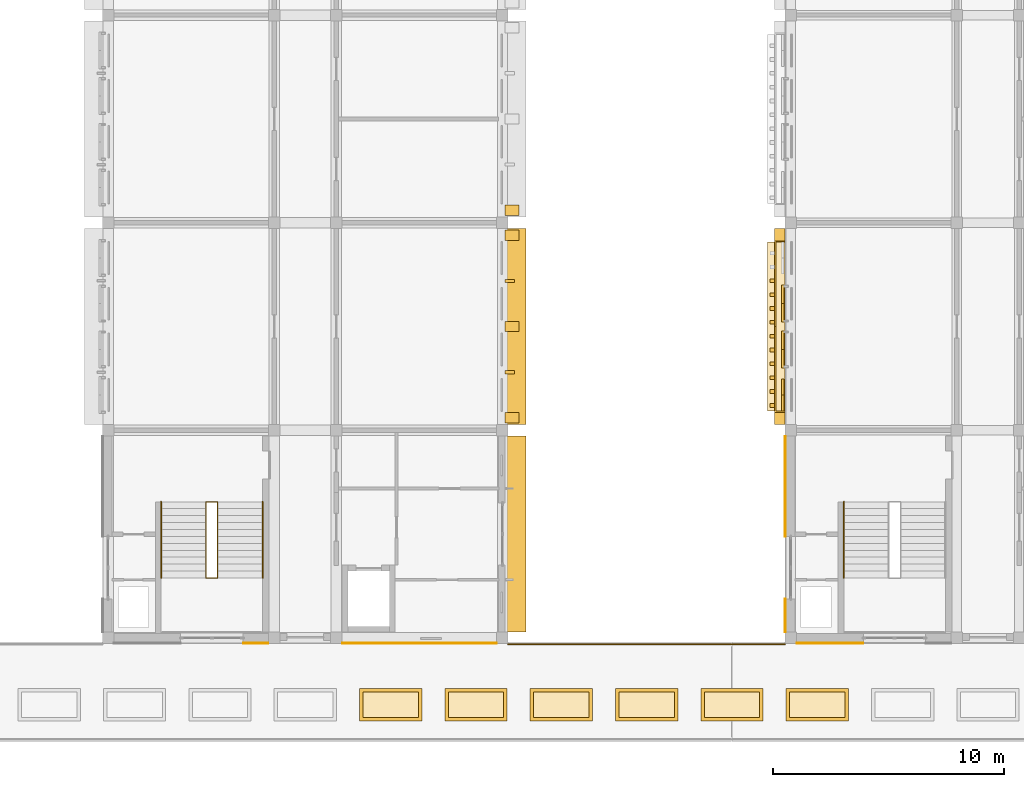
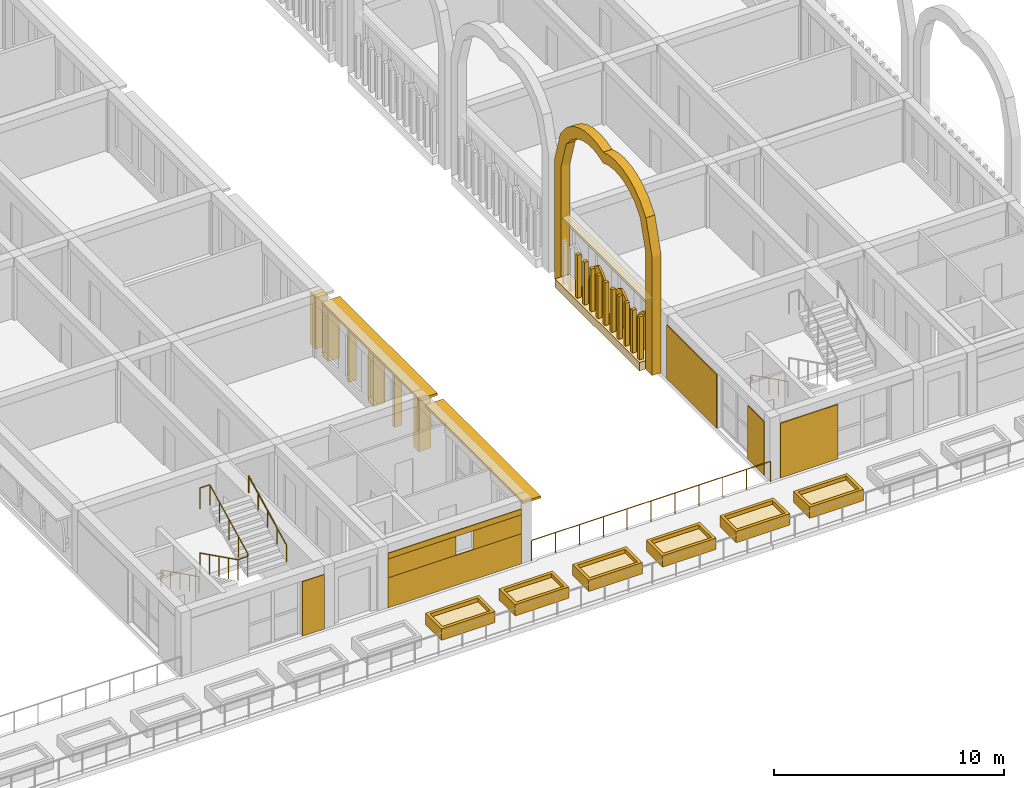
# One storey, part 74 of 82: 39 coverings, 5 railings, 5 shading devices.
"""IFC4 building model written with IfcOpenShell, lengths in metres."""

from ifc_helpers import new_model, si_unit, direction, frame, origin, origin_2d, place, context, subcontext, project, spatial, polyline, rectangle, circle, outline, extrude, material, layer, layer_set, type_object, element, save


model = new_model("IFC4")

# Units and contexts
model_context = context("Model", 3, precision=1e-05, world=origin(), true_north=direction((0.0, 1.0)))
body_context = subcontext(model_context, "Body", "Model", "MODEL_VIEW")
ifc_project = project(units=[si_unit("LENGTHUNIT", "METRE"), si_unit("AREAUNIT", "SQUARE_METRE"), si_unit("VOLUMEUNIT", "CUBIC_METRE"), si_unit("PLANEANGLEUNIT", "RADIAN"), si_unit("MASSUNIT", "GRAM", prefix="KILO")], contexts=[model_context])

# Site, building, storey
site_placement = place(None, origin())
site = spatial("IfcSite", under=ifc_project, at=site_placement, CompositionType="ELEMENT")
building_placement = place(site_placement, origin())
building = spatial("IfcBuilding", under=site, at=building_placement, Name="Elbe Cascade School", CompositionType="ELEMENT")
storey_placement = place(building_placement, frame((0.0, 0.0, 4.5)))
storey = spatial("IfcBuildingStorey", under=building, at=storey_placement, Name="L01", CompositionType="ELEMENT", Elevation=4.5)

# Railings
ifc_material_1 = material(Name="Steel S355J2H, painted", Category="steel")
railing_type_1 = type_object("IfcRailingType", Name="Bar stair guard 1100", PredefinedType="GUARDRAIL", material=ifc_material_1)
railing_1_placement = place(storey_placement, frame((102.85009765625, 11.89990234375, 0.14990234375)))
element("IfcRailing", 1, at=railing_1_placement, inside=storey, type_object=railing_type_1, Name="Stair guard B1.S", PredefinedType="GUARDRAIL", context=body_context, shape_type="SweptSolid", body=[
    extrude(circle(Radius=0.02392578125, at=origin_2d()), frame((0.0, 0.0, 1.09619140625), z_axis=(0.0, -0.894400720042, 0.447266533499), x_axis=(1.0, 0.0, 0.0)), (0.0, 0.0, 1.0), 3.689453125),
    extrude(circle(Radius=0.02392578125, at=origin_2d()), frame((0.0, -3.2998046875, 2.74609375), z_axis=(1.0, 0.0, 0.0), x_axis=(0.0, 1.0, 0.0)), (0.0, 0.0, 1.0), 0.5),
    extrude(circle(Radius=0.02392578125, at=origin_2d()), frame((0.5, -3.2998046875, 2.74609375), z_axis=(0.0, 0.0, 1.0), x_axis=(1.0, 0.0, 0.0)), (0.0, 0.0, 1.0), 0.14990234375),
    extrude(circle(Radius=0.02392578125, at=origin_2d()), frame((0.5, -3.2998046875, 2.89599609375), z_axis=(0.0, 0.894400720042, 0.447266533499), x_axis=(-1.0, 0.0, 0.0)), (0.0, 0.0, 1.0), 3.689453125),
    extrude(circle(Radius=0.02392578125, at=origin_2d()), frame((0.5, 0.0, 4.54638671875), z_axis=(-1.0, 0.0, 0.0), x_axis=(0.0, -1.0, 0.0)), (0.0, 0.0, 1.0), 0.5),
    extrude(circle(Radius=0.02099609375, at=origin_2d()), origin(), (0.0, 0.0, 1.0), 1.072021484375),
    extrude(circle(Radius=0.02099609375, at=origin_2d()), frame((0.0, -0.824951171875, 0.41259765625)), (0.0, 0.0, 1.0), 1.072021484375),
    extrude(circle(Radius=0.02099609375, at=origin_2d()), frame((0.0, -1.64990234375, 0.8251953125)), (0.0, 0.0, 1.0), 1.072021484375),
    extrude(circle(Radius=0.02099609375, at=origin_2d()), frame((0.0, -2.474853515625, 1.237548828125)), (0.0, 0.0, 1.0), 1.072021484375),
    extrude(circle(Radius=0.02099609375, at=origin_2d()), frame((0.0, -3.2998046875, 1.650146484375)), (0.0, 0.0, 1.0), 1.072021484375),
    extrude(circle(Radius=0.02099609375, at=origin_2d()), frame((0.5, -3.2998046875, 1.650146484375)), (0.0, 0.0, 1.0), 1.072021484375),
    extrude(circle(Radius=0.02099609375, at=origin_2d()), frame((0.5, -3.2998046875, 1.800048828125)), (0.0, 0.0, 1.0), 1.072021484375),
    extrude(circle(Radius=0.02099609375, at=origin_2d()), frame((0.5, -2.474853515625, 2.212646484375)), (0.0, 0.0, 1.0), 1.072021484375),
    extrude(circle(Radius=0.02099609375, at=origin_2d()), frame((0.5, -1.64990234375, 2.625)), (0.0, 0.0, 1.0), 1.072021484375),
    extrude(circle(Radius=0.02099609375, at=origin_2d()), frame((0.5, -0.824951171875, 3.03759765625)), (0.0, 0.0, 1.0), 1.072021484375),
    extrude(circle(Radius=0.02099609375, at=origin_2d()), frame((0.5, 0.0, 3.4501953125)), (0.0, 0.0, 1.0), 1.072021484375),
    extrude(circle(Radius=0.02099609375, at=origin_2d()), frame((0.0, 0.0, 3.4501953125)), (0.0, 0.0, 1.0), 1.072021484375),
])
ifc_material_2 = material(Name="Steel S355J2H, painted", Category="steel")
railing_type_2 = type_object("IfcRailingType", Name="Bar stair handrail 900", PredefinedType="HANDRAIL", material=ifc_material_2)
railing_2_placement = place(storey_placement, frame((100.89990234375, 11.89990234375, 0.14990234375)))
element("IfcRailing", 2, at=railing_2_placement, inside=storey, type_object=railing_type_2, Name="Stair handrail B1.S", PredefinedType="HANDRAIL", context=body_context, shape_type="SweptSolid", body=[
    extrude(circle(Radius=0.02392578125, at=origin_2d()), frame((0.0, 0.0, 0.8759765625), z_axis=(0.0, -0.894400720042, 0.447266533499), x_axis=(1.0, 0.0, 0.0)), (0.0, 0.0, 1.0), 3.689453125),
    extrude(circle(Radius=0.02099609375, at=origin_2d()), origin(), (0.0, 0.0, 1.0), 0.851806640625),
    extrude(circle(Radius=0.02099609375, at=origin_2d()), frame((0.0, -0.824951171875, 0.41259765625)), (0.0, 0.0, 1.0), 0.851806640625),
    extrude(circle(Radius=0.02099609375, at=origin_2d()), frame((0.0, -1.64990234375, 0.8251953125)), (0.0, 0.0, 1.0), 0.851806640625),
    extrude(circle(Radius=0.02099609375, at=origin_2d()), frame((0.0, -2.474853515625, 1.237548828125)), (0.0, 0.0, 1.0), 0.851806640625),
    extrude(circle(Radius=0.02099609375, at=origin_2d()), frame((0.0, -3.2998046875, 1.650146484375)), (0.0, 0.0, 1.0), 0.851806640625),
])
railing_3_placement = place(storey_placement, frame((105.300048828125, 8.60009765625, 1.949951171875)))
element("IfcRailing", 3, at=railing_3_placement, inside=storey, type_object=railing_type_2, Name="Stair handrail B1.S", PredefinedType="HANDRAIL", context=body_context, shape_type="SweptSolid", body=[
    extrude(circle(Radius=0.02392578125, at=origin_2d()), frame((0.0, 0.0, 0.8759765625), z_axis=(0.0, 0.894400720042, 0.447266533499), x_axis=(-1.0, 0.0, 0.0)), (0.0, 0.0, 1.0), 3.689453125),
    extrude(circle(Radius=0.02099609375, at=origin_2d()), origin(), (0.0, 0.0, 1.0), 0.851806640625),
    extrude(circle(Radius=0.02099609375, at=origin_2d()), frame((0.0, 0.824951171875, 0.41259765625)), (0.0, 0.0, 1.0), 0.851806640625),
    extrude(circle(Radius=0.02099609375, at=origin_2d()), frame((0.0, 1.64990234375, 0.8251953125)), (0.0, 0.0, 1.0), 0.851806640625),
    extrude(circle(Radius=0.02099609375, at=origin_2d()), frame((0.0, 2.474853515625, 1.237548828125)), (0.0, 0.0, 1.0), 0.851806640625),
    extrude(circle(Radius=0.02099609375, at=origin_2d()), frame((0.0, 3.2998046875, 1.650146484375)), (0.0, 0.0, 1.0), 0.851806640625),
])
railing_4_placement = place(storey_placement, frame((130.5, 11.89990234375, 0.14990234375)))
element("IfcRailing", 4, at=railing_4_placement, inside=storey, type_object=railing_type_2, Name="Stair handrail C1.S", PredefinedType="HANDRAIL", context=body_context, shape_type="SweptSolid", body=[
    extrude(circle(Radius=0.02392578125, at=origin_2d()), frame((0.0, 0.0, 0.8759765625), z_axis=(0.0, -0.894400720042, 0.447266533499), x_axis=(1.0, 0.0, 0.0)), (0.0, 0.0, 1.0), 3.689453125),
    extrude(circle(Radius=0.02099609375, at=origin_2d()), origin(), (0.0, 0.0, 1.0), 0.851806640625),
    extrude(circle(Radius=0.02099609375, at=origin_2d()), frame((0.0, -0.824951171875, 0.41259765625)), (0.0, 0.0, 1.0), 0.851806640625),
    extrude(circle(Radius=0.02099609375, at=origin_2d()), frame((0.0, -1.64990234375, 0.8251953125)), (0.0, 0.0, 1.0), 0.851806640625),
    extrude(circle(Radius=0.02099609375, at=origin_2d()), frame((0.0, -2.474853515625, 1.237548828125)), (0.0, 0.0, 1.0), 0.851806640625),
    extrude(circle(Radius=0.02099609375, at=origin_2d()), frame((0.0, -3.2998046875, 1.650146484375)), (0.0, 0.0, 1.0), 0.851806640625),
])

# Shading devices
ifc_material_3 = material(Name="Precast concrete C30/37", Category="concrete")
ifc_layer_1 = layer(ifc_material_3, 0.1201171875)
ifc_layer_set_1 = layer_set([ifc_layer_1], Name="Precast concrete C30/37")
shading_device_type_1 = type_object("IfcShadingDeviceType", Name="Bars envelope Chhajja eave, precast concrete, 900 x 120", PredefinedType="USERDEFINED", material=ifc_layer_set_1)
for number, where, z_axis, x_axis, name in (
    (5, (116.27001953125, 10.5, 2.72998046875), (0.0, 0.0, 1.0), (0.0, 1.0, 0.0), "Chhajja eave SD2 B.L01.e1"),
    (6, (116.27001953125, 19.5, 2.72998046875), (0.0, 0.0, 1.0), (0.0, 1.0, 0.0), "Chhajja eave SD2 B.L01.e2"),
):
    element("IfcShadingDevice", number, at=place(storey_placement, frame(where, z_axis=z_axis, x_axis=x_axis)), inside=storey, type_object=shading_device_type_1, Name=name, ObjectType="CHHAJJA", PredefinedType="USERDEFINED", context=body_context, shape_type="SweptSolid", body=[
        extrude(rectangle(XDim=8.5, YDim=0.89990234375, at=origin_2d()), origin(), (0.0, 0.0, 1.0), 0.1201171875),
    ])
ifc_material_4 = material(Name="Precast concrete C40/50", Category="concrete")
ifc_layer_2 = layer(ifc_material_4, 0.10009765625)
ifc_layer_set_2 = layer_set([ifc_layer_2], Name="Precast concrete C40/50")
shading_device_type_2 = type_object("IfcShadingDeviceType", Name="Bars envelope Jali screen 1400 x 1940, pointed arch rise 1200, pierced precast concrete", PredefinedType="USERDEFINED", material=ifc_layer_set_2)
shading_device_placement = place(storey_placement, frame((127.800048828125, 15.830078125, 1.340087890625), z_axis=(-1.0, 0.0, 0.0), x_axis=(0.0, 0.178010233327, 0.984028636184)))
element("IfcShadingDevice", 7, at=shading_device_placement, inside=storey, type_object=shading_device_type_2, Name="Jali screen SD5 C.L01.w2.1", ObjectType="JALI", PredefinedType="USERDEFINED", context=body_context, shape_type="SweptSolid", body=[
    extrude(outline(polyline([(0.0, 0.0), (0.4909961754247877, 0.0), (0.6925015045111531, 0.05236873319310516), (0.8428788821146216, 0.11423458756170396), (0.9653448017027789, 0.1809015060000636), (1.0691153542525929, 0.2511985091151042), (1.1586682066636846, 0.32381938311151803), (1.2366894734944909, 0.3985263145297321), (1.3053847865709356, 0.4751684089694145), (1.267849956232629, 0.5707793741352497), (1.2209891721399608, 0.6683255023225533), (1.1625533429373862, 0.767717446565401), (1.0899432731257104, 0.8696735030558779), (0.9986378362756912, 0.9752596442230361), (0.8794209414103609, 1.0856468494599547), (0.7090760950621335, 1.205531175872367), (0.2491969428458631, 1.3775439941116288), (-0.47897463827592734, 1.509269828392377), (-0.7281715811217905, 0.13172583428074836), (0.0, 0.0)])), origin(), (0.0, 0.0, -1.0), 0.10009765625),
])
ifc_material_5 = material(Name="Precast concrete C40/50", Category="concrete")
ifc_layer_3 = layer(ifc_material_5, 0.10009765625)
ifc_layer_set_3 = layer_set([ifc_layer_3], Name="Precast concrete C40/50")
shading_device_type_3 = type_object("IfcShadingDeviceType", Name="Bars envelope Jali screen 1600 x 1940, pointed arch rise 1200, pierced precast concrete", PredefinedType="USERDEFINED", material=ifc_layer_set_3)
for number, where, z_axis, x_axis, name in (
    (8, (127.800048828125, 17.7099609375, 1.340087890625), (-1.0, 0.0, 0.0), (0.0, 0.196300278283, 0.98054382908), "Jali screen SD4 C.L01.w2.2"),
    (9, (127.800048828125, 19.68994140625, 1.340087890625), (-1.0, 0.0, 0.0), (0.0, 0.196300278283, 0.98054382908), "Jali screen SD4 C.L01.w2.3"),
):
    element("IfcShadingDevice", number, at=place(storey_placement, frame(where, z_axis=z_axis, x_axis=x_axis)), inside=storey, type_object=shading_device_type_3, Name=name, ObjectType="JALI", PredefinedType="USERDEFINED", context=body_context, shape_type="SweptSolid", body=[
        extrude(outline(polyline([(0.0, 0.0), (0.509921112317134, 0.0), (0.7184015554229473, 0.06009802405484588), (0.8733064327485943, 0.13117061016154), (0.9982874871653163, 0.20823380534668107), (1.102872417131342, 0.2891312241218946), (1.1917054934740825, 0.37343107507379947), (1.268281725197354, 0.45993570394643946), (1.3336545243794973, 0.5489321924158467), (1.3075801207519657, 0.6562359822289878), (1.2702064348380508, 0.7655528504723534), (1.220671754049922, 0.877553277802997), (1.155289369893253, 0.9924773561437888), (1.0696067110311427, 1.1117144392411962), (0.9540002292601073, 1.2369421314170506), (0.7847223319636507, 1.37266560447821), (0.31409961520112845, 1.5689658827607584), (-0.41149324269448634, 1.7142261716949392), (-0.7255928578956148, 0.1452602889341807), (0.0, 0.0)])), origin(), (0.0, 0.0, -1.0), 0.10009765625),
    ])

# Coverings
ifc_material_6 = material(Name="Precast concrete C40/50", Category="concrete")
covering_type_1 = type_object("IfcCoveringType", Name="Bars envelope Precast concrete fin, 140 wide, 400 deep", PredefinedType="CLADDING", material=ifc_material_6)
for number, where, z_axis, x_axis, name in (
    (10, (116.02001953125, 17.52001953125, 0.0), (0.0, 0.0, 1.0), (0.0, 1.0, 0.0), "Fin CV56 B.L01.e2.4"),
    (11, (116.02001953125, 21.47998046875, 0.0), (0.0, 0.0, 1.0), (0.0, 1.0, 0.0), "Fin CV56 B.L01.e2.5"),
):
    element("IfcCovering", number, at=place(storey_placement, frame(where, z_axis=z_axis, x_axis=x_axis)), inside=storey, type_object=covering_type_1, Name=name, PredefinedType="CLADDING", context=body_context, shape_type="SweptSolid", body=[
        extrude(rectangle(XDim=0.139892578125, YDim=0.39990234375, at=origin_2d()), origin(), (0.0, 0.0, 1.0), 2.72998046875),
    ])
ifc_material_7 = material(Name="Precast concrete C40/50", Category="concrete")
covering_type_2 = type_object("IfcCoveringType", Name="Bars envelope Precast concrete fin, 450 wide, 600 deep", PredefinedType="CLADDING", material=ifc_material_7)
for number, where, z_axis, x_axis, name in (
    (12, (116.1201171875, 15.5400390625, 0.0), (0.0, 0.0, 1.0), (0.0, 1.0, 0.0), "Fin CV55 B.L01.e2.1"),
    (13, (116.1201171875, 19.5, 0.0), (0.0, 0.0, 1.0), (0.0, 1.0, 0.0), "Fin CV55 B.L01.e2.2"),
    (14, (116.1201171875, 23.4599609375, 0.0), (0.0, 0.0, 1.0), (0.0, 1.0, 0.0), "Fin CV55 B.L01.e2.3"),
    (15, (116.1201171875, 24.5400390625, 0.0), (0.0, 0.0, 1.0), (0.0, 1.0, 0.0), "Fin CV55 B.L01.e3.1"),
):
    element("IfcCovering", number, at=place(storey_placement, frame(where, z_axis=z_axis, x_axis=x_axis)), inside=storey, type_object=covering_type_2, Name=name, PredefinedType="CLADDING", context=body_context, shape_type="SweptSolid", body=[
        extrude(rectangle(XDim=0.449951171875, YDim=0.60009765625, at=origin_2d()), origin(), (0.0, 0.0, 1.0), 2.72998046875),
    ])
ifc_material_8 = material(Name="Sandstone - red", Category="masonry")
covering_type_3 = type_object("IfcCoveringType", Name="Bars envelope Sandstone arch frame single, 8500 wide, 450 deep", PredefinedType="CLADDING", material=ifc_material_8)
covering_1_placement = place(storey_placement, frame((127.5, 15.25, 0.0), z_axis=(-1.0, 0.0, 0.0), x_axis=(0.0, 0.0, 1.0)))
element("IfcCovering", 16, at=covering_1_placement, inside=storey, type_object=covering_type_3, Name="Arch frame CV52 C.L01.w2", PredefinedType="CLADDING", context=body_context, shape_type="SweptSolid", body=[
    extrude(outline(polyline([(0.0, 0.0), (6.300048828125, 0.0), (8.060791015625, 0.53125), (8.67431640625, 1.0625), (9.058349609375, 1.59375), (9.302490234375, 2.125), (9.439697265625, 2.65625), (9.48388671875, 3.1875), (9.438720703125, 3.71875), (9.300048828125, 4.25), (9.438720703125, 4.78125), (9.48388671875, 5.3125), (9.439697265625, 5.84375), (9.302490234375, 6.375), (9.058349609375, 6.90625), (8.67431640625, 7.4375), (8.060791015625, 7.96875), (6.300048828125, 8.5), (0.0, 8.5), (0.0, 7.919921875), (6.300048828125, 7.919921875), (7.784912109375, 7.461181640625), (8.29736328125, 7.00244140625), (8.613525390625, 6.543701171875), (8.80908203125, 6.0849609375), (8.910888671875, 5.626220703125), (8.93017578125, 5.16748046875), (8.86865234375, 4.708740234375), (8.719970703125, 4.25), (8.86865234375, 3.791259765625), (8.93017578125, 3.33251953125), (8.910888671875, 2.873779296875), (8.80908203125, 2.4150390625), (8.613525390625, 1.956298828125), (8.29736328125, 1.49755859375), (7.784912109375, 1.038818359375), (6.300048828125, 0.580078125), (0.0, 0.580078125), (0.0, 0.0)])), origin(), (0.0, 0.0, -1.0), 0.449951171875),
])
ifc_material_9 = material(Name="Sandstone - red", Category="masonry")
ifc_layer_4 = layer(ifc_material_9, 0.0400390625)
ifc_layer_set_4 = layer_set([ifc_layer_4], Name="Sandstone - red")
covering_type_4 = type_object("IfcCoveringType", Name="Bars envelope Sandstone cladding, red, 40 mm", PredefinedType="CLADDING", material=ifc_layer_set_4)
covering_2_placement = place(storey_placement, frame((105.0, 5.760009765625, 0.0), z_axis=(0.0, 0.0, 1.0), x_axis=(1.0, 0.0, 0.0)))
element("IfcCovering", 17, at=covering_2_placement, inside=storey, type_object=covering_type_4, Name="Sandstone cladding CV48 B.L01.s.1b.1", PredefinedType="CLADDING", context=body_context, shape_type="SweptSolid", body=[
    extrude(rectangle(XDim=1.10009765625, YDim=0.0400390625, at=origin_2d()), origin(), (0.0, 0.0, 1.0), 2.89990234375),
])
covering_3_placement = place(storey_placement, frame((112.10009765625, 5.760009765625, 0.0), z_axis=(0.0, 0.0, 1.0), x_axis=(1.0, 0.0, 0.0)))
element("IfcCovering", 18, at=covering_3_placement, inside=storey, type_object=covering_type_4, Name="Sandstone cladding CV48 B.L01.s.3.1", PredefinedType="CLADDING", context=body_context, shape_type="SweptSolid", body=[
    extrude(rectangle(XDim=6.699951171875, YDim=0.0400390625, at=origin_2d()), origin(), (0.0, 0.0, 1.0), 1.60009765625),
])
covering_4_placement = place(storey_placement, frame((110.449951171875, 5.760009765625, 1.60009765625), z_axis=(0.0, 0.0, 1.0), x_axis=(1.0, 0.0, 0.0)))
element("IfcCovering", 19, at=covering_4_placement, inside=storey, type_object=covering_type_4, Name="Sandstone cladding CV48 B.L01.s.3.2", PredefinedType="CLADDING", context=body_context, shape_type="SweptSolid", body=[
    extrude(rectangle(XDim=3.39990234375, YDim=0.0400390625, at=origin_2d()), origin(), (0.0, 0.0, 1.0), 1.0),
])
covering_5_placement = place(storey_placement, frame((114.25, 5.760009765625, 1.60009765625), z_axis=(0.0, 0.0, 1.0), x_axis=(1.0, 0.0, 0.0)))
element("IfcCovering", 20, at=covering_5_placement, inside=storey, type_object=covering_type_4, Name="Sandstone cladding CV48 B.L01.s.3.3", PredefinedType="CLADDING", context=body_context, shape_type="SweptSolid", body=[
    extrude(rectangle(XDim=2.39990234375, YDim=0.0400390625, at=origin_2d()), origin(), (0.0, 0.0, 1.0), 1.0),
])
covering_6_placement = place(storey_placement, frame((112.10009765625, 5.760009765625, 2.60009765625), z_axis=(0.0, 0.0, 1.0), x_axis=(1.0, 0.0, 0.0)))
element("IfcCovering", 21, at=covering_6_placement, inside=storey, type_object=covering_type_4, Name="Sandstone cladding CV48 B.L01.s.3.4", PredefinedType="CLADDING", context=body_context, shape_type="SweptSolid", body=[
    extrude(rectangle(XDim=6.699951171875, YDim=0.0400390625, at=origin_2d()), origin(), (0.0, 0.0, 1.0), 0.300048828125),
])
covering_7_placement = place(storey_placement, frame((127.9599609375, 6.969970703125, 0.0), z_axis=(0.0, 0.0, 1.0), x_axis=(0.0, 1.0, 0.0)))
element("IfcCovering", 22, at=covering_7_placement, inside=storey, type_object=covering_type_4, Name="Sandstone cladding CV48 C.L01.w.1a.1", PredefinedType="CLADDING", context=body_context, shape_type="SweptSolid", body=[
    extrude(rectangle(XDim=1.43994140625, YDim=0.0400390625, at=origin_2d()), origin(), (0.0, 0.0, 1.0), 2.85009765625),
])
covering_8_placement = place(storey_placement, frame((127.9599609375, 12.570068359375, 0.0), z_axis=(0.0, 0.0, 1.0), x_axis=(0.0, 1.0, 0.0)))
element("IfcCovering", 23, at=covering_8_placement, inside=storey, type_object=covering_type_4, Name="Sandstone cladding CV48 C.L01.w.1b.1", PredefinedType="CLADDING", context=body_context, shape_type="SweptSolid", body=[
    extrude(rectangle(XDim=4.360107421875, YDim=0.0400390625, at=origin_2d()), origin(), (0.0, 0.0, 1.0), 2.85009765625),
])
covering_9_placement = place(storey_placement, frame((129.89990234375, 5.760009765625, 0.0), z_axis=(0.0, 0.0, 1.0), x_axis=(1.0, 0.0, 0.0)))
element("IfcCovering", 24, at=covering_9_placement, inside=storey, type_object=covering_type_4, Name="Sandstone cladding CV48 C.L01.s.1a.1", PredefinedType="CLADDING", context=body_context, shape_type="SweptSolid", body=[
    extrude(rectangle(XDim=2.89990234375, YDim=0.0400390625, at=origin_2d()), origin(), (0.0, 0.0, 1.0), 2.89990234375),
])
ifc_material_10 = material(Name="Sandstone - red", Category="masonry")
covering_type_5 = type_object("IfcCoveringType", Name="Bars envelope Sandstone floor ledge, 400 deep", PredefinedType="CLADDING", material=ifc_material_10)
covering_10_placement = place(storey_placement, frame((127.75, 19.5, 3.4599609375), z_axis=(0.0, 0.0, 1.0), x_axis=(0.0, 1.0, 0.0)))
element("IfcCovering", 25, at=covering_10_placement, inside=storey, type_object=covering_type_5, Name="Floor ledge CV64 C.L01.w1.1", PredefinedType="CLADDING", context=body_context, shape_type="SweptSolid", body=[
    extrude(rectangle(XDim=7.340087890625, YDim=0.39990234375, at=origin_2d()), origin(), (0.0, 0.0, 1.0), 0.139892578125),
])
ifc_material_11 = material(Name="Sandstone - red", Category="masonry")
covering_type_6 = type_object("IfcCoveringType", Name="Bars envelope Sandstone planter kerb, 750 deep", PredefinedType="CLADDING", material=ifc_material_11)
covering_11_placement = place(storey_placement, frame((127.574951171875, 19.5, 0.0), z_axis=(0.0, 0.0, 1.0), x_axis=(0.0, 1.0, 0.0)))
element("IfcCovering", 26, at=covering_11_placement, inside=storey, type_object=covering_type_6, Name="Planter kerb CV65 C.L01.w1.1", PredefinedType="CLADDING", context=body_context, shape_type="SweptSolid", body=[
    extrude(rectangle(XDim=7.340087890625, YDim=0.75, at=origin_2d()), origin(), (0.0, 0.0, 1.0), 0.449951171875),
])
ifc_material_12 = material(Name="Sandstone - red", Category="masonry")
covering_type_7 = type_object("IfcCoveringType", Name="Bars envelope Sandstone slat, 160 wide, 200 deep", PredefinedType="CLADDING", material=ifc_material_12)
for number, where, z_axis, x_axis, name in (
    (27, (127.39990234375, 16.080078125, 0.4501953125), (0.0, 0.0, 1.0), (0.0, 1.0, 0.0), "Slat CV66 C.L01.w1.1.1"),
    (28, (127.39990234375, 16.679931640625, 0.4501953125), (0.0, 0.0, 1.0), (0.0, 1.0, 0.0), "Slat CV66 C.L01.w1.1.2"),
    (29, (127.39990234375, 17.280029296875, 0.4501953125), (0.0, 0.0, 1.0), (0.0, 1.0, 0.0), "Slat CV66 C.L01.w1.1.3"),
    (30, (127.39990234375, 17.8798828125, 0.4501953125), (0.0, 0.0, 1.0), (0.0, 1.0, 0.0), "Slat CV66 C.L01.w1.1.4"),
    (31, (127.39990234375, 18.47998046875, 0.4501953125), (0.0, 0.0, 1.0), (0.0, 1.0, 0.0), "Slat CV66 C.L01.w1.1.5"),
    (32, (127.39990234375, 19.080078125, 0.4501953125), (0.0, 0.0, 1.0), (0.0, 1.0, 0.0), "Slat CV66 C.L01.w1.1.6"),
    (33, (127.39990234375, 19.679931640625, 0.4501953125), (0.0, 0.0, 1.0), (0.0, 1.0, 0.0), "Slat CV66 C.L01.w1.1.7"),
    (34, (127.39990234375, 20.280029296875, 0.4501953125), (0.0, 0.0, 1.0), (0.0, 1.0, 0.0), "Slat CV66 C.L01.w1.1.8"),
    (35, (127.39990234375, 20.8798828125, 0.4501953125), (0.0, 0.0, 1.0), (0.0, 1.0, 0.0), "Slat CV66 C.L01.w1.1.9"),
    (36, (127.39990234375, 21.47998046875, 0.4501953125), (0.0, 0.0, 1.0), (0.0, 1.0, 0.0), "Slat CV66 C.L01.w1.1.10"),
):
    element("IfcCovering", number, at=place(storey_placement, frame(where, z_axis=z_axis, x_axis=x_axis)), inside=storey, type_object=covering_type_7, Name=name, PredefinedType="CLADDING", context=body_context, shape_type="SweptSolid", body=[
        extrude(rectangle(XDim=0.159912109375, YDim=0.199951171875, at=origin_2d()), origin(), (0.0, 0.0, 1.0), 2.280029296875),
    ])

# Railing
ifc_material_13 = material(Name="Steel S355J2H", Category="steel")
railing_type_3 = type_object("IfcRailingType", Name="Quay and steps guard 1100", PredefinedType="GUARDRAIL", material=ifc_material_13)
railing_5_placement = place(storey_placement, frame((115.949951171875, 5.719970703125, 0.0)))
element("IfcRailing", 37, at=railing_5_placement, inside=storey, type_object=railing_type_3, Name="Colonnade roof guard 6", PredefinedType="GUARDRAIL", context=body_context, shape_type="SweptSolid", body=[
    extrude(circle(Radius=0.02392578125, at=origin_2d()), frame((0.0, 0.0, 1.076171875), z_axis=(1.0, 0.0, 0.0), x_axis=(0.0, 1.0, 0.0)), (0.0, 0.0, 1.0), 12.0),
    extrude(circle(Radius=0.02099609375, at=origin_2d()), origin(), (0.0, 0.0, 1.0), 1.052001953125),
    extrude(circle(Radius=0.02099609375, at=origin_2d()), frame((1.199951171875, 0.0, 0.0)), (0.0, 0.0, 1.0), 1.052001953125),
    extrude(circle(Radius=0.02099609375, at=origin_2d()), frame((2.39990234375, 0.0, 0.0)), (0.0, 0.0, 1.0), 1.052001953125),
    extrude(circle(Radius=0.02099609375, at=origin_2d()), frame((3.60009765625, 0.0, 0.0)), (0.0, 0.0, 1.0), 1.052001953125),
    extrude(circle(Radius=0.02099609375, at=origin_2d()), frame((4.800048828125, 0.0, 0.0)), (0.0, 0.0, 1.0), 1.052001953125),
    extrude(circle(Radius=0.02099609375, at=origin_2d()), frame((6.0, 0.0, 0.0)), (0.0, 0.0, 1.0), 1.052001953125),
    extrude(circle(Radius=0.02099609375, at=origin_2d()), frame((7.199951171875, 0.0, 0.0)), (0.0, 0.0, 1.0), 1.052001953125),
    extrude(circle(Radius=0.02099609375, at=origin_2d()), frame((8.39990234375, 0.0, 0.0)), (0.0, 0.0, 1.0), 1.052001953125),
    extrude(circle(Radius=0.02099609375, at=origin_2d()), frame((9.60009765625, 0.0, 0.0)), (0.0, 0.0, 1.0), 1.052001953125),
    extrude(circle(Radius=0.02099609375, at=origin_2d()), frame((10.800048828125, 0.0, 0.0)), (0.0, 0.0, 1.0), 1.052001953125),
    extrude(circle(Radius=0.02099609375, at=origin_2d()), frame((12.0, 0.0, 0.0)), (0.0, 0.0, 1.0), 1.052001953125),
])

# Coverings
ifc_material_14 = material(Name="Planting - soil and shrubs", Category="soil")
ifc_layer_5 = layer(ifc_material_14, 0.39990234375)
ifc_layer_set_5 = layer_set([ifc_layer_5], Name="Planting - soil and shrubs")
covering_type_8 = type_object("IfcCoveringType", Name="Site planting bed 400", PredefinedType="USERDEFINED", material=ifc_layer_set_5)
covering_12_placement = place(storey_placement, frame((0.0, 0.0, 0.0400390625)))
element("IfcCovering", 38, at=covering_12_placement, inside=storey, type_object=covering_type_8, Name="Colonnade roof planting bed 25", ObjectType="PLANTING BED", PredefinedType="USERDEFINED", context=body_context, shape_type="SweptSolid", body=[
    extrude(outline(polyline([(109.64990234375, 2.550048828125), (112.050048828125, 2.550048828125), (112.050048828125, 3.64990234375), (109.64990234375, 3.64990234375), (109.64990234375, 2.550048828125)])), origin(), (0.0, 0.0, 1.0), 0.39990234375),
])
covering_13_placement = place(storey_placement, frame((0.0, 0.0, 0.0400390625)))
element("IfcCovering", 39, at=covering_13_placement, inside=storey, type_object=covering_type_8, Name="Colonnade roof planting bed 26", ObjectType="PLANTING BED", PredefinedType="USERDEFINED", context=body_context, shape_type="SweptSolid", body=[
    extrude(outline(polyline([(113.35009765625, 2.550048828125), (115.75, 2.550048828125), (115.75, 3.64990234375), (113.35009765625, 3.64990234375), (113.35009765625, 2.550048828125)])), origin(), (0.0, 0.0, 1.0), 0.39990234375),
])
covering_14_placement = place(storey_placement, frame((0.0, 0.0, 0.0400390625)))
element("IfcCovering", 40, at=covering_14_placement, inside=storey, type_object=covering_type_8, Name="Colonnade roof planting bed 27", ObjectType="PLANTING BED", PredefinedType="USERDEFINED", context=body_context, shape_type="SweptSolid", body=[
    extrude(outline(polyline([(117.050048828125, 2.550048828125), (119.449951171875, 2.550048828125), (119.449951171875, 3.64990234375), (117.050048828125, 3.64990234375), (117.050048828125, 2.550048828125)])), origin(), (0.0, 0.0, 1.0), 0.39990234375),
])
covering_15_placement = place(storey_placement, frame((0.0, 0.0, 0.0400390625)))
element("IfcCovering", 41, at=covering_15_placement, inside=storey, type_object=covering_type_8, Name="Colonnade roof planting bed 28", ObjectType="PLANTING BED", PredefinedType="USERDEFINED", context=body_context, shape_type="SweptSolid", body=[
    extrude(outline(polyline([(120.75, 2.550048828125), (123.14990234375, 2.550048828125), (123.14990234375, 3.64990234375), (120.75, 3.64990234375), (120.75, 2.550048828125)])), origin(), (0.0, 0.0, 1.0), 0.39990234375),
])
covering_16_placement = place(storey_placement, frame((0.0, 0.0, 0.0400390625)))
element("IfcCovering", 42, at=covering_16_placement, inside=storey, type_object=covering_type_8, Name="Colonnade roof planting bed 29", ObjectType="PLANTING BED", PredefinedType="USERDEFINED", context=body_context, shape_type="SweptSolid", body=[
    extrude(outline(polyline([(124.449951171875, 2.550048828125), (126.85009765625, 2.550048828125), (126.85009765625, 3.64990234375), (124.449951171875, 3.64990234375), (124.449951171875, 2.550048828125)])), origin(), (0.0, 0.0, 1.0), 0.39990234375),
])
covering_17_placement = place(storey_placement, frame((0.0, 0.0, 0.0400390625)))
element("IfcCovering", 43, at=covering_17_placement, inside=storey, type_object=covering_type_8, Name="Colonnade roof planting bed 30", ObjectType="PLANTING BED", PredefinedType="USERDEFINED", context=body_context, shape_type="SweptSolid", body=[
    extrude(outline(polyline([(128.14990234375, 2.550048828125), (130.550048828125, 2.550048828125), (130.550048828125, 3.64990234375), (128.14990234375, 3.64990234375), (128.14990234375, 2.550048828125)])), origin(), (0.0, 0.0, 1.0), 0.39990234375),
])
ifc_material_15 = material(Name="Concrete C30/37 precast kerb", Category="concrete")
ifc_layer_6 = layer(ifc_material_15, 0.14990234375)
ifc_layer_set_6 = layer_set([ifc_layer_6], Name="Concrete C30/37 precast kerb")
covering_type_9 = type_object("IfcCoveringType", Name="Site planting bed kerb 150x600", PredefinedType="CLADDING", material=ifc_layer_set_6)
covering_18_placement = place(storey_placement, frame((0.0, 0.0, 0.0400390625)))
element("IfcCovering", 44, at=covering_18_placement, inside=storey, type_object=covering_type_9, Name="Colonnade roof planting bed kerb 25", PredefinedType="CLADDING", context=body_context, shape_type="SweptSolid", body=[
    extrude(outline(polyline([(109.5, 2.39990234375), (112.199951171875, 2.39990234375), (112.199951171875, 3.800048828125), (109.5, 3.800048828125), (109.5, 2.39990234375)]), holes=[polyline([(109.64990234375, 2.550048828125), (112.050048828125, 2.550048828125), (112.050048828125, 3.64990234375), (109.64990234375, 3.64990234375), (109.64990234375, 2.550048828125)])]), origin(), (0.0, 0.0, 1.0), 0.599853515625),
])
covering_19_placement = place(storey_placement, frame((0.0, 0.0, 0.0400390625)))
element("IfcCovering", 45, at=covering_19_placement, inside=storey, type_object=covering_type_9, Name="Colonnade roof planting bed kerb 26", PredefinedType="CLADDING", context=body_context, shape_type="SweptSolid", body=[
    extrude(outline(polyline([(113.199951171875, 2.39990234375), (115.89990234375, 2.39990234375), (115.89990234375, 3.800048828125), (113.199951171875, 3.800048828125), (113.199951171875, 2.39990234375)]), holes=[polyline([(113.35009765625, 2.550048828125), (115.75, 2.550048828125), (115.75, 3.64990234375), (113.35009765625, 3.64990234375), (113.35009765625, 2.550048828125)])]), origin(), (0.0, 0.0, 1.0), 0.599853515625),
])
covering_20_placement = place(storey_placement, frame((0.0, 0.0, 0.0400390625)))
element("IfcCovering", 46, at=covering_20_placement, inside=storey, type_object=covering_type_9, Name="Colonnade roof planting bed kerb 27", PredefinedType="CLADDING", context=body_context, shape_type="SweptSolid", body=[
    extrude(outline(polyline([(116.89990234375, 2.39990234375), (119.60009765625, 2.39990234375), (119.60009765625, 3.800048828125), (116.89990234375, 3.800048828125), (116.89990234375, 2.39990234375)]), holes=[polyline([(117.050048828125, 2.550048828125), (119.449951171875, 2.550048828125), (119.449951171875, 3.64990234375), (117.050048828125, 3.64990234375), (117.050048828125, 2.550048828125)])]), origin(), (0.0, 0.0, 1.0), 0.599853515625),
])
covering_21_placement = place(storey_placement, frame((0.0, 0.0, 0.0400390625)))
element("IfcCovering", 47, at=covering_21_placement, inside=storey, type_object=covering_type_9, Name="Colonnade roof planting bed kerb 28", PredefinedType="CLADDING", context=body_context, shape_type="SweptSolid", body=[
    extrude(outline(polyline([(120.60009765625, 2.39990234375), (123.300048828125, 2.39990234375), (123.300048828125, 3.800048828125), (120.60009765625, 3.800048828125), (120.60009765625, 2.39990234375)]), holes=[polyline([(120.75, 2.550048828125), (123.14990234375, 2.550048828125), (123.14990234375, 3.64990234375), (120.75, 3.64990234375), (120.75, 2.550048828125)])]), origin(), (0.0, 0.0, 1.0), 0.599853515625),
])
covering_22_placement = place(storey_placement, frame((0.0, 0.0, 0.0400390625)))
element("IfcCovering", 48, at=covering_22_placement, inside=storey, type_object=covering_type_9, Name="Colonnade roof planting bed kerb 29", PredefinedType="CLADDING", context=body_context, shape_type="SweptSolid", body=[
    extrude(outline(polyline([(124.300048828125, 2.39990234375), (127.0, 2.39990234375), (127.0, 3.800048828125), (124.300048828125, 3.800048828125), (124.300048828125, 2.39990234375)]), holes=[polyline([(124.449951171875, 2.550048828125), (126.85009765625, 2.550048828125), (126.85009765625, 3.64990234375), (124.449951171875, 3.64990234375), (124.449951171875, 2.550048828125)])]), origin(), (0.0, 0.0, 1.0), 0.599853515625),
])
covering_23_placement = place(storey_placement, frame((0.0, 0.0, 0.0400390625)))
element("IfcCovering", 49, at=covering_23_placement, inside=storey, type_object=covering_type_9, Name="Colonnade roof planting bed kerb 30", PredefinedType="CLADDING", context=body_context, shape_type="SweptSolid", body=[
    extrude(outline(polyline([(128.0, 2.39990234375), (130.699951171875, 2.39990234375), (130.699951171875, 3.800048828125), (128.0, 3.800048828125), (128.0, 2.39990234375)]), holes=[polyline([(128.14990234375, 2.550048828125), (130.550048828125, 2.550048828125), (130.550048828125, 3.64990234375), (128.14990234375, 3.64990234375), (128.14990234375, 2.550048828125)])]), origin(), (0.0, 0.0, 1.0), 0.599853515625),
])

save(model, "model.ifc")
